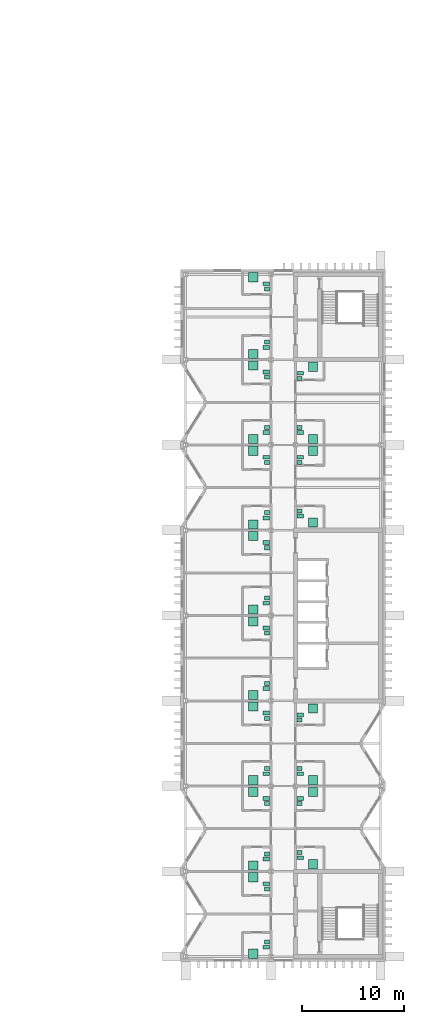
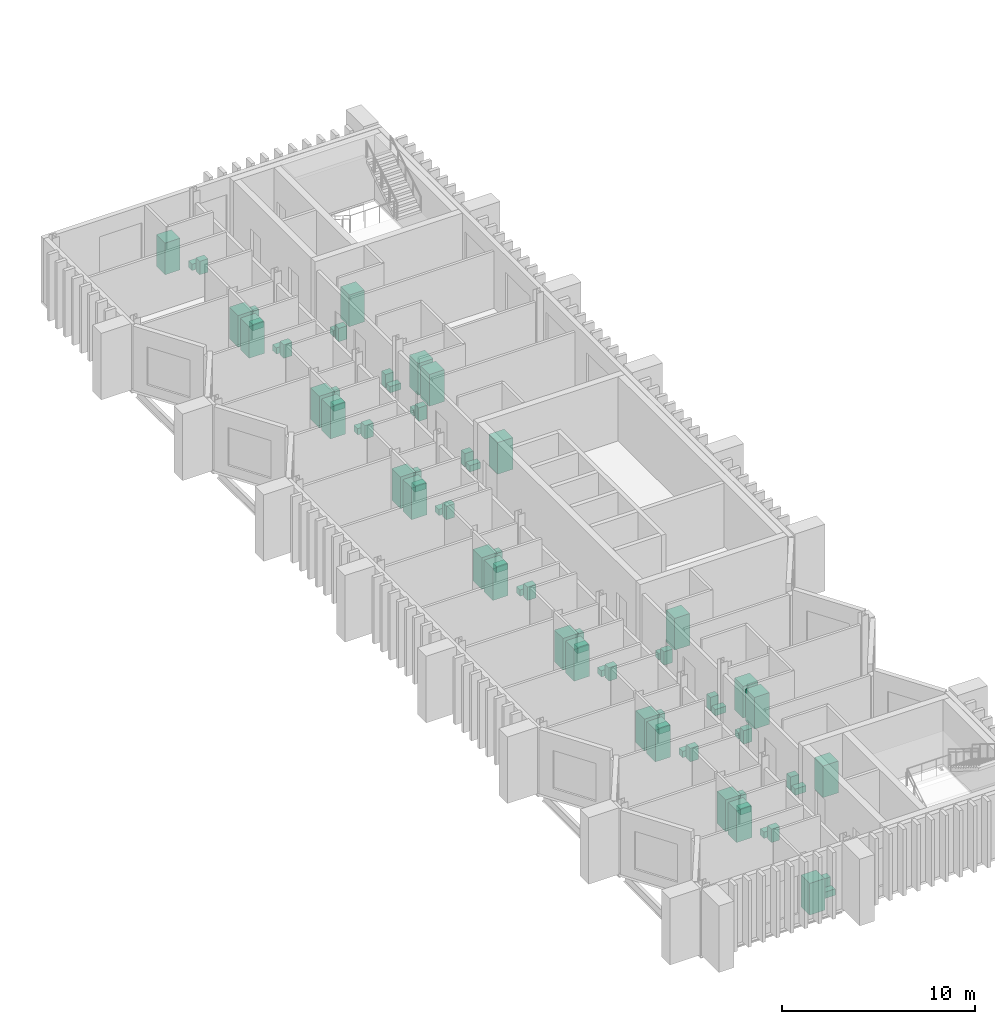
# One storey, part 17 of 17: 72 sanitary terminals.
"""IFC4 building model written with IfcOpenShell, lengths in metres."""

from ifc_helpers import new_model, si_unit, direction, frame, origin, origin_2d, place, context, subcontext, project, spatial, rectangle, extrude, material, type_object, element, save


model = new_model("IFC4")

# Units and contexts
model_context = context("Model", 3, precision=1e-05, world=origin(), true_north=direction((0.0, 1.0)))
body_context = subcontext(model_context, "Body", "Model", "MODEL_VIEW")
ifc_project = project(units=[si_unit("LENGTHUNIT", "METRE"), si_unit("AREAUNIT", "SQUARE_METRE"), si_unit("VOLUMEUNIT", "CUBIC_METRE"), si_unit("PLANEANGLEUNIT", "RADIAN"), si_unit("MASSUNIT", "GRAM", prefix="KILO")], contexts=[model_context])

# Site, building, storey
site_placement = place(None, origin())
site = spatial("IfcSite", under=ifc_project, at=site_placement, CompositionType="ELEMENT")
building_placement = place(site_placement, origin())
building = spatial("IfcBuilding", under=site, at=building_placement, Name="Cresset Court Congress Hotel", CompositionType="ELEMENT")
storey_placement = place(building_placement, frame((0.0, 0.0, 31.199951171875)))
storey = spatial("IfcBuildingStorey", under=building, at=storey_placement, Name="L07", CompositionType="ELEMENT", Elevation=31.199951171875)

# Sanitary terminals
ifc_material_1 = material(Name="Acrylic")
sanitary_terminal_type_1 = type_object("IfcSanitaryTerminalType", Name="Shower enclosure 900x900", PredefinedType="SHOWER", material=ifc_material_1)
for number, where, z_axis, x_axis, name in (
    (1, (163.85009765625, 0.280029296875, 0.0), (0.0, 0.0, 1.0), (1.0, 0.0, 0.0), "Shower enclosure 900x900 0701"),
    (2, (163.85009765625, 7.824951171875, 0.0), (0.0, 0.0, 1.0), (1.0, 0.0, 0.0), "Shower enclosure 900x900 0702"),
    (3, (163.85009765625, 8.97509765625, 0.0), (0.0, 0.0, 1.0), (1.0, 0.0, 0.0), "Shower enclosure 900x900 0703"),
    (4, (163.85009765625, 16.22509765625, 0.0), (0.0, 0.0, 1.0), (1.0, 0.0, 0.0), "Shower enclosure 900x900 0704"),
    (5, (163.85009765625, 17.375, 0.0), (0.0, 0.0, 1.0), (1.0, 0.0, 0.0), "Shower enclosure 900x900 0705"),
    (6, (163.85009765625, 24.625, 0.0), (0.0, 0.0, 1.0), (1.0, 0.0, 0.0), "Shower enclosure 900x900 0706"),
    (7, (163.85009765625, 25.77490234375, 0.0), (0.0, 0.0, 1.0), (1.0, 0.0, 0.0), "Shower enclosure 900x900 0707"),
    (8, (163.85009765625, 33.02490234375, 0.0), (0.0, 0.0, 1.0), (1.0, 0.0, 0.0), "Shower enclosure 900x900 0708"),
    (9, (163.85009765625, 34.175048828125, 0.0), (0.0, 0.0, 1.0), (1.0, 0.0, 0.0), "Shower enclosure 900x900 0709"),
    (10, (163.85009765625, 41.425048828125, 0.0), (0.0, 0.0, 1.0), (1.0, 0.0, 0.0), "Shower enclosure 900x900 0710"),
    (11, (163.85009765625, 42.574951171875, 0.0), (0.0, 0.0, 1.0), (1.0, 0.0, 0.0), "Shower enclosure 900x900 0711"),
    (12, (163.85009765625, 49.824951171875, 0.0), (0.0, 0.0, 1.0), (1.0, 0.0, 0.0), "Shower enclosure 900x900 0712"),
    (13, (163.85009765625, 50.97509765625, 0.0), (0.0, 0.0, 1.0), (1.0, 0.0, 0.0), "Shower enclosure 900x900 0713"),
    (14, (163.85009765625, 58.22509765625, 0.0), (0.0, 0.0, 1.0), (1.0, 0.0, 0.0), "Shower enclosure 900x900 0714"),
    (15, (163.85009765625, 59.375, 0.0), (0.0, 0.0, 1.0), (1.0, 0.0, 0.0), "Shower enclosure 900x900 0715"),
    (16, (163.85009765625, 66.919921875, 0.0), (0.0, 0.0, 1.0), (1.0, 0.0, 0.0), "Shower enclosure 900x900 0716"),
    (17, (169.75, 9.10009765625, 0.0), (0.0, 0.0, 1.0), (1.0, 0.0, 0.0), "Shower enclosure 900x900 0717"),
    (18, (169.75, 16.22509765625, 0.0), (0.0, 0.0, 1.0), (1.0, 0.0, 0.0), "Shower enclosure 900x900 0718"),
    (19, (169.75, 17.375, 0.0), (0.0, 0.0, 1.0), (1.0, 0.0, 0.0), "Shower enclosure 900x900 0719"),
    (20, (169.75, 24.449951171875, 0.0), (0.0, 0.0, 1.0), (1.0, 0.0, 0.0), "Shower enclosure 900x900 0720"),
    (21, (169.75, 42.75, 0.0), (0.0, 0.0, 1.0), (1.0, 0.0, 0.0), "Shower enclosure 900x900 0721"),
    (22, (169.75, 49.824951171875, 0.0), (0.0, 0.0, 1.0), (1.0, 0.0, 0.0), "Shower enclosure 900x900 0722"),
    (23, (169.75, 50.97509765625, 0.0), (0.0, 0.0, 1.0), (1.0, 0.0, 0.0), "Shower enclosure 900x900 0723"),
    (24, (169.75, 58.10009765625, 0.0), (0.0, 0.0, 1.0), (1.0, 0.0, 0.0), "Shower enclosure 900x900 0724"),
):
    element("IfcSanitaryTerminal", number, at=place(storey_placement, frame(where, z_axis=z_axis, x_axis=x_axis)), inside=storey, type_object=sanitary_terminal_type_1, Name=name, PredefinedType="SHOWER", context=body_context, shape_type="SweptSolid", body=[
        extrude(rectangle(XDim=0.89990234375, YDim=0.89990234375, at=origin_2d()), origin(), (0.0, 0.0, 1.0), 2.0),
    ])
ifc_material_2 = material(Name="Vitreous china")
sanitary_terminal_type_2 = type_object("IfcSanitaryTerminalType", Name="Toilet pan 650x380", PredefinedType="TOILETPAN", material=ifc_material_2)
for number, where, z_axis, x_axis, name in (
    (25, (165.125, 0.919921875, 0.0), (0.0, 0.0, 1.0), (1.0, 0.0, 0.0), "Toilet pan 650x380 0701"),
    (26, (165.125, 7.18505859375, 0.0), (0.0, 0.0, 1.0), (1.0, 0.0, 0.0), "Toilet pan 650x380 0702"),
    (27, (165.125, 9.614990234375, 0.0), (0.0, 0.0, 1.0), (1.0, 0.0, 0.0), "Toilet pan 650x380 0703"),
    (28, (165.125, 15.5849609375, 0.0), (0.0, 0.0, 1.0), (1.0, 0.0, 0.0), "Toilet pan 650x380 0704"),
    (29, (165.125, 18.014892578125, 0.0), (0.0, 0.0, 1.0), (1.0, 0.0, 0.0), "Toilet pan 650x380 0705"),
    (30, (165.125, 23.985107421875, 0.0), (0.0, 0.0, 1.0), (1.0, 0.0, 0.0), "Toilet pan 650x380 0706"),
    (31, (165.125, 26.4150390625, 0.0), (0.0, 0.0, 1.0), (1.0, 0.0, 0.0), "Toilet pan 650x380 0707"),
    (32, (165.125, 32.385009765625, 0.0), (0.0, 0.0, 1.0), (1.0, 0.0, 0.0), "Toilet pan 650x380 0708"),
    (33, (165.125, 34.81494140625, 0.0), (0.0, 0.0, 1.0), (1.0, 0.0, 0.0), "Toilet pan 650x380 0709"),
    (34, (165.125, 40.784912109375, 0.0), (0.0, 0.0, 1.0), (1.0, 0.0, 0.0), "Toilet pan 650x380 0710"),
    (35, (165.125, 43.215087890625, 0.0), (0.0, 0.0, 1.0), (1.0, 0.0, 0.0), "Toilet pan 650x380 0711"),
    (36, (165.125, 49.18505859375, 0.0), (0.0, 0.0, 1.0), (1.0, 0.0, 0.0), "Toilet pan 650x380 0712"),
    (37, (165.125, 51.614990234375, 0.0), (0.0, 0.0, 1.0), (1.0, 0.0, 0.0), "Toilet pan 650x380 0713"),
    (38, (165.125, 57.5849609375, 0.0), (0.0, 0.0, 1.0), (1.0, 0.0, 0.0), "Toilet pan 650x380 0714"),
    (39, (165.125, 60.014892578125, 0.0), (0.0, 0.0, 1.0), (1.0, 0.0, 0.0), "Toilet pan 650x380 0715"),
    (40, (165.125, 66.280029296875, 0.0), (0.0, 0.0, 1.0), (1.0, 0.0, 0.0), "Toilet pan 650x380 0716"),
    (41, (168.47509765625, 9.739990234375, 0.0), (0.0, 0.0, 1.0), (1.0, 0.0, 0.0), "Toilet pan 650x380 0717"),
    (42, (168.47509765625, 15.5849609375, 0.0), (0.0, 0.0, 1.0), (1.0, 0.0, 0.0), "Toilet pan 650x380 0718"),
    (43, (168.47509765625, 18.014892578125, 0.0), (0.0, 0.0, 1.0), (1.0, 0.0, 0.0), "Toilet pan 650x380 0719"),
    (44, (168.47509765625, 23.81005859375, 0.0), (0.0, 0.0, 1.0), (1.0, 0.0, 0.0), "Toilet pan 650x380 0720"),
    (45, (168.47509765625, 43.389892578125, 0.0), (0.0, 0.0, 1.0), (1.0, 0.0, 0.0), "Toilet pan 650x380 0721"),
    (46, (168.47509765625, 49.18505859375, 0.0), (0.0, 0.0, 1.0), (1.0, 0.0, 0.0), "Toilet pan 650x380 0722"),
    (47, (168.47509765625, 51.614990234375, 0.0), (0.0, 0.0, 1.0), (1.0, 0.0, 0.0), "Toilet pan 650x380 0723"),
    (48, (168.47509765625, 57.4599609375, 0.0), (0.0, 0.0, 1.0), (1.0, 0.0, 0.0), "Toilet pan 650x380 0724"),
):
    element("IfcSanitaryTerminal", number, at=place(storey_placement, frame(where, z_axis=z_axis, x_axis=x_axis)), inside=storey, type_object=sanitary_terminal_type_2, Name=name, PredefinedType="TOILETPAN", context=body_context, shape_type="SweptSolid", body=[
        extrude(rectangle(XDim=0.64990234375, YDim=0.3798828125, at=origin_2d()), origin(), (0.0, 0.0, 1.0), 0.39990234375),
    ])
ifc_material_3 = material(Name="Vitreous china")
sanitary_terminal_type_3 = type_object("IfcSanitaryTerminalType", Name="Wash basin 500x400", PredefinedType="WASHHANDBASIN", material=ifc_material_3)
for number, where, z_axis, x_axis, name in (
    (49, (165.199951171875, 1.429931640625, 0.0), (0.0, 0.0, 1.0), (1.0, 0.0, 0.0), "Wash basin 500x400 0701"),
    (50, (165.199951171875, 6.675048828125, 0.0), (0.0, 0.0, 1.0), (1.0, 0.0, 0.0), "Wash basin 500x400 0702"),
    (51, (165.199951171875, 10.125, 0.0), (0.0, 0.0, 1.0), (1.0, 0.0, 0.0), "Wash basin 500x400 0703"),
    (52, (165.199951171875, 15.074951171875, 0.0), (0.0, 0.0, 1.0), (1.0, 0.0, 0.0), "Wash basin 500x400 0704"),
    (53, (165.199951171875, 18.52490234375, 0.0), (0.0, 0.0, 1.0), (1.0, 0.0, 0.0), "Wash basin 500x400 0705"),
    (54, (165.199951171875, 23.47509765625, 0.0), (0.0, 0.0, 1.0), (1.0, 0.0, 0.0), "Wash basin 500x400 0706"),
    (55, (165.199951171875, 26.925048828125, 0.0), (0.0, 0.0, 1.0), (1.0, 0.0, 0.0), "Wash basin 500x400 0707"),
    (56, (165.199951171875, 31.875, 0.0), (0.0, 0.0, 1.0), (1.0, 0.0, 0.0), "Wash basin 500x400 0708"),
    (57, (165.199951171875, 35.324951171875, 0.0), (0.0, 0.0, 1.0), (1.0, 0.0, 0.0), "Wash basin 500x400 0709"),
    (58, (165.199951171875, 40.27490234375, 0.0), (0.0, 0.0, 1.0), (1.0, 0.0, 0.0), "Wash basin 500x400 0710"),
    (59, (165.199951171875, 43.72509765625, 0.0), (0.0, 0.0, 1.0), (1.0, 0.0, 0.0), "Wash basin 500x400 0711"),
    (60, (165.199951171875, 48.675048828125, 0.0), (0.0, 0.0, 1.0), (1.0, 0.0, 0.0), "Wash basin 500x400 0712"),
    (61, (165.199951171875, 52.125, 0.0), (0.0, 0.0, 1.0), (1.0, 0.0, 0.0), "Wash basin 500x400 0713"),
    (62, (165.199951171875, 57.074951171875, 0.0), (0.0, 0.0, 1.0), (1.0, 0.0, 0.0), "Wash basin 500x400 0714"),
    (63, (165.199951171875, 60.52490234375, 0.0), (0.0, 0.0, 1.0), (1.0, 0.0, 0.0), "Wash basin 500x400 0715"),
    (64, (165.199951171875, 65.77001953125, 0.0), (0.0, 0.0, 1.0), (1.0, 0.0, 0.0), "Wash basin 500x400 0716"),
    (65, (168.39990234375, 10.25, 0.0), (0.0, 0.0, 1.0), (1.0, 0.0, 0.0), "Wash basin 500x400 0717"),
    (66, (168.39990234375, 15.074951171875, 0.0), (0.0, 0.0, 1.0), (1.0, 0.0, 0.0), "Wash basin 500x400 0718"),
    (67, (168.39990234375, 18.52490234375, 0.0), (0.0, 0.0, 1.0), (1.0, 0.0, 0.0), "Wash basin 500x400 0719"),
    (68, (168.39990234375, 23.300048828125, 0.0), (0.0, 0.0, 1.0), (1.0, 0.0, 0.0), "Wash basin 500x400 0720"),
    (69, (168.39990234375, 43.89990234375, 0.0), (0.0, 0.0, 1.0), (1.0, 0.0, 0.0), "Wash basin 500x400 0721"),
    (70, (168.39990234375, 48.675048828125, 0.0), (0.0, 0.0, 1.0), (1.0, 0.0, 0.0), "Wash basin 500x400 0722"),
    (71, (168.39990234375, 52.125, 0.0), (0.0, 0.0, 1.0), (1.0, 0.0, 0.0), "Wash basin 500x400 0723"),
    (72, (168.39990234375, 56.949951171875, 0.0), (0.0, 0.0, 1.0), (1.0, 0.0, 0.0), "Wash basin 500x400 0724"),
):
    element("IfcSanitaryTerminal", number, at=place(storey_placement, frame(where, z_axis=z_axis, x_axis=x_axis)), inside=storey, type_object=sanitary_terminal_type_3, Name=name, PredefinedType="WASHHANDBASIN", context=body_context, shape_type="SweptSolid", body=[
        extrude(rectangle(XDim=0.5, YDim=0.39990234375, at=origin_2d()), origin(), (0.0, 0.0, 1.0), 0.85009765625),
    ])

save(model, "model.ifc")
